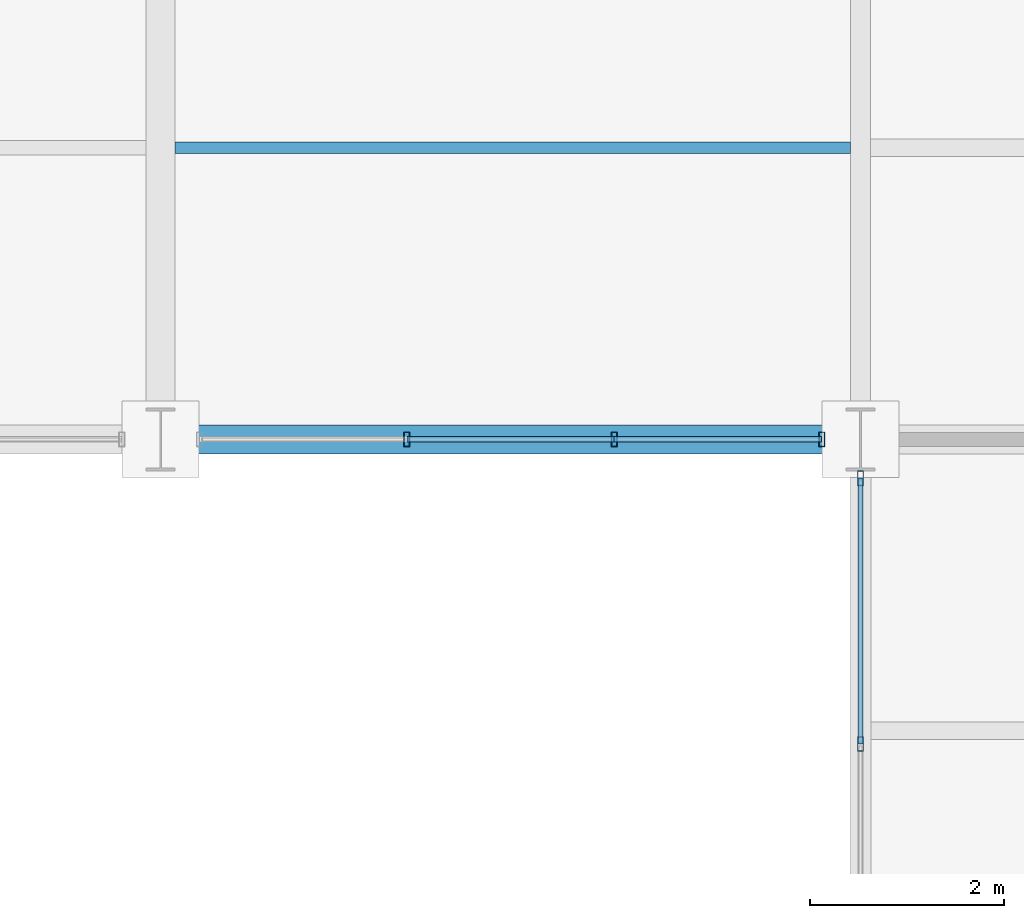
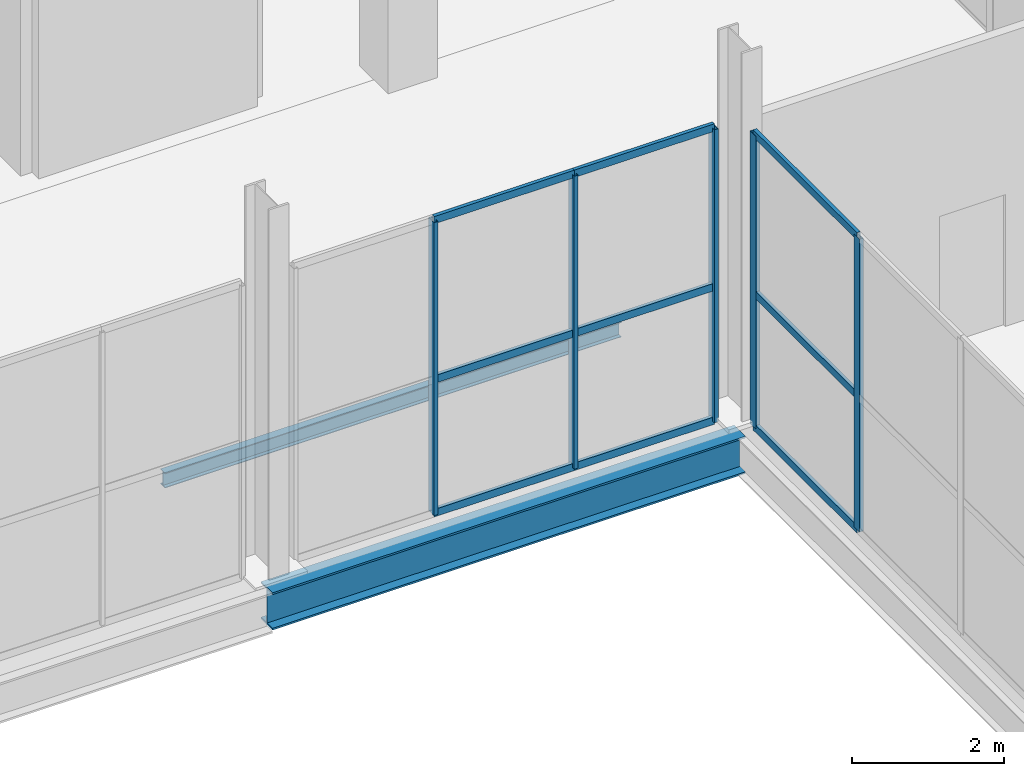
# One storey, part 95 of 144: 14 members, 2 beams, 2 elements without a shape of their own.
"""IFC4 building model written with IfcOpenShell, lengths in metres."""

from ifc_helpers import new_model, si_unit, direction, frame, origin, origin_2d, place, context, subcontext, project, spatial, hollow_rectangle, i_section, extrude, material, layer, layer_set, material_profile, profile_set, type_object, element, aggregate, save


model = new_model("IFC4")

# Units and contexts
model_context = context("Model", 3, precision=1e-05, world=origin(), true_north=direction((0.0, 1.0)))
body_context = subcontext(model_context, "Body", "Model", "MODEL_VIEW")
ifc_project = project(units=[si_unit("LENGTHUNIT", "METRE"), si_unit("AREAUNIT", "SQUARE_METRE"), si_unit("VOLUMEUNIT", "CUBIC_METRE"), si_unit("PLANEANGLEUNIT", "RADIAN"), si_unit("MASSUNIT", "GRAM", prefix="KILO")], contexts=[model_context])

# Site, building, storey
site_placement = place(None, origin())
site = spatial("IfcSite", under=ifc_project, at=site_placement, CompositionType="ELEMENT")
building_placement = place(site_placement, origin())
building = spatial("IfcBuilding", under=site, at=building_placement, Name="Sundgate Opera House", CompositionType="ELEMENT")
storey_placement = place(building_placement, origin())
storey = spatial("IfcBuildingStorey", under=building, at=storey_placement, Name="L00", CompositionType="ELEMENT", Elevation=0.0)

# Beams
ifc_material_1 = material(Name="Steel S355J2", Category="steel")
ifc_material_profile_1 = material_profile(ifc_material_1, i_section(OverallWidth=0.300048828125, OverallDepth=0.60009765625, WebThickness=0.015380859375, FlangeThickness=0.030029296875, at=origin_2d()), Name="HEB 600")
ifc_profile_set_1 = profile_set([ifc_material_profile_1], Name="Steel S355J2")
beam_type_1 = type_object("IfcBeamType", Name="BM-GR-HEB600", PredefinedType="BEAM", material=ifc_profile_set_1)
beam_1_placement = place(storey_placement, frame((131.39990234375, 60.0, -0.6201171875), z_axis=(1.0, 0.0, 0.0), x_axis=(0.0, 1.0, 0.0)))
element("IfcBeam", 1, at=beam_1_placement, inside=storey, type_object=beam_type_1, Name="L00 Primary E-W Girder B0456", PredefinedType="BEAM", context=body_context, shape_type="SweptSolid", body=[
    extrude(i_section(OverallWidth=0.300048828125, OverallDepth=0.60009765625, WebThickness=0.015380859375, FlangeThickness=0.030029296875, at=origin_2d()), origin(), (0.0, 0.0, 1.0), 7.2001953125),
])
ifc_material_2 = material(Name="Steel S355J2", Category="steel")
ifc_material_profile_2 = material_profile(ifc_material_2, i_section(OverallWidth=0.1201171875, OverallDepth=0.239990234375, WebThickness=0.006103515625, FlangeThickness=0.009765625, at=origin_2d()), Name="IPE 240")
ifc_profile_set_2 = profile_set([ifc_material_profile_2], Name="Steel S355J2")
beam_type_2 = type_object("IfcBeamType", Name="BM-JS-IPE240", PredefinedType="JOIST", material=ifc_profile_set_2)
beam_2_placement = place(storey_placement, frame((131.550048828125, 63.0, -0.43994140625), z_axis=(1.0, 0.0, 0.0), x_axis=(0.0, 1.0, 0.0)))
element("IfcBeam", 2, at=beam_2_placement, inside=storey, type_object=beam_type_2, Name="L00 Secondary Floor Joist B0832", PredefinedType="JOIST", context=body_context, shape_type="SweptSolid", body=[
    extrude(i_section(OverallWidth=0.1201171875, OverallDepth=0.239990234375, WebThickness=0.006103515625, FlangeThickness=0.009765625, at=origin_2d()), origin(), (0.0, 0.0, 1.0), 6.945068359375),
])

# Curtain wall, members
ifc_material_3 = material(Name="Anodized aluminium and low-iron glass", Category="aluminium")
ifc_layer = layer(ifc_material_3, 0.159912109375)
ifc_layer_set = layer_set([ifc_layer], Name="Anodized aluminium and low-iron glass")
curtain_wall_type = type_object("IfcCurtainWallType", Name="CW-STUDIO-DARK", PredefinedType="NOTDEFINED", material=ifc_layer_set)
curtain_wall_1_placement = place(storey_placement, origin())
curtain_wall_1 = element("IfcCurtainWall", 3, at=curtain_wall_1_placement, inside=storey, type_object=curtain_wall_type, Name="L00 Curtain Wall CW039", PredefinedType="NOTDEFINED")
ifc_material_4 = material(Name="Anodized aluminium EN AW-6063", Category="aluminium")
ifc_material_profile_3 = material_profile(ifc_material_4, hollow_rectangle(XDim=0.06005859375, YDim=0.14990234375, WallThickness=0.00390625, at=origin_2d()), Name="CWM 150x60x4")
ifc_profile_set_3 = profile_set([ifc_material_profile_3], Name="Anodized aluminium EN AW-6063")
member_type_1 = type_object("IfcMemberType", Name="CWM-ALU-150x60", PredefinedType="MULLION", material=ifc_profile_set_3)
member_1_placement = place(storey_placement, frame((138.199951171875, 60.0, 0.0), z_axis=(0.0, 0.0, 1.0), x_axis=(1.0, 0.0, 0.0)))
member_1 = element("IfcMember", 4, at=member_1_placement, type_object=member_type_1, Name="CW039 Mullion 1", PredefinedType="MULLION", context=body_context, shape_type="SweptSolid", body=[
    extrude(hollow_rectangle(XDim=0.06005859375, YDim=0.14990234375, WallThickness=0.00390625, at=origin_2d()), origin(), (0.0, 0.0, 1.0), 4.715087890625),
])
member_2_placement = place(storey_placement, frame((136.066650390625, 60.0, 0.0), z_axis=(0.0, 0.0, 1.0), x_axis=(1.0, 0.0, 0.0)))
member_2 = element("IfcMember", 5, at=member_2_placement, type_object=member_type_1, Name="CW039 Mullion 2", PredefinedType="MULLION", context=body_context, shape_type="SweptSolid", body=[
    extrude(hollow_rectangle(XDim=0.06005859375, YDim=0.14990234375, WallThickness=0.00390625, at=origin_2d()), origin(), (0.0, 0.0, 1.0), 4.715087890625),
])
member_3_placement = place(storey_placement, frame((133.933349609375, 60.0, 0.0), z_axis=(0.0, 0.0, 1.0), x_axis=(1.0, 0.0, 0.0)))
member_3 = element("IfcMember", 6, at=member_3_placement, type_object=member_type_1, Name="CW039 Mullion 3", PredefinedType="MULLION", context=body_context, shape_type="SweptSolid", body=[
    extrude(hollow_rectangle(XDim=0.06005859375, YDim=0.14990234375, WallThickness=0.00390625, at=origin_2d()), origin(), (0.0, 0.0, 1.0), 4.715087890625),
])

curtain_wall_2_placement = place(storey_placement, origin())
curtain_wall_2 = element("IfcCurtainWall", 7, at=curtain_wall_2_placement, inside=storey, type_object=curtain_wall_type, Name="L00 Curtain Wall CW043", PredefinedType="NOTDEFINED")
member_4_placement = place(storey_placement, frame((138.60009765625, 59.60009765625, 0.0), z_axis=(0.0, 0.0, 1.0), x_axis=(1.0, 0.0, 0.0)))
member_4 = element("IfcMember", 8, at=member_4_placement, type_object=member_type_1, Name="CW043 Mullion 1", PredefinedType="MULLION", context=body_context, shape_type="SweptSolid", body=[
    extrude(hollow_rectangle(XDim=0.06005859375, YDim=0.14990234375, WallThickness=0.00390625, at=origin_2d()), origin(), (0.0, 0.0, 1.0), 4.715087890625),
])
member_5_placement = place(storey_placement, frame((138.60009765625, 56.86669921875, 0.0), z_axis=(0.0, 0.0, 1.0), x_axis=(1.0, 0.0, 0.0)))
member_5 = element("IfcMember", 9, at=member_5_placement, type_object=member_type_1, Name="CW043 Mullion 2", PredefinedType="MULLION", context=body_context, shape_type="SweptSolid", body=[
    extrude(hollow_rectangle(XDim=0.06005859375, YDim=0.14990234375, WallThickness=0.00390625, at=origin_2d()), origin(), (0.0, 0.0, 1.0), 4.715087890625),
])

# Member
ifc_material_5 = material(Name="Anodized aluminium EN AW-6063", Category="aluminium")
ifc_material_profile_4 = material_profile(ifc_material_5, hollow_rectangle(XDim=0.054931640625, YDim=0.1201171875, WallThickness=0.00390625, at=origin_2d()), Name="CWT 120x55x4")
ifc_profile_set_4 = profile_set([ifc_material_profile_4], Name="Anodized aluminium EN AW-6063")
member_type_2 = type_object("IfcMemberType", Name="CWT-ALU-120x55", PredefinedType="USERDEFINED", material=ifc_profile_set_4)
member_6_placement = place(storey_placement, frame((138.199951171875, 60.0, 0.0), z_axis=(-1.0, 0.0, 0.0), x_axis=(0.0, -1.0, 0.0)))
member_6 = element("IfcMember", 10, at=member_6_placement, type_object=member_type_2, Name="CW039 Transom 1", ObjectType="TRANSOM", PredefinedType="USERDEFINED", context=body_context, shape_type="SweptSolid", body=[
    extrude(hollow_rectangle(XDim=0.054931640625, YDim=0.1201171875, WallThickness=0.00390625, at=origin_2d()), origin(), (0.0, 0.0, 1.0), 2.13330078125),
])

member_7_placement = place(storey_placement, frame((138.199951171875, 60.0, 2.14990234375), z_axis=(-1.0, 0.0, 0.0), x_axis=(0.0, -1.0, 0.0)))
member_7 = element("IfcMember", 11, at=member_7_placement, type_object=member_type_2, Name="CW039 Transom 2", ObjectType="TRANSOM", PredefinedType="USERDEFINED", context=body_context, shape_type="SweptSolid", body=[
    extrude(hollow_rectangle(XDim=0.054931640625, YDim=0.1201171875, WallThickness=0.00390625, at=origin_2d()), origin(), (0.0, 0.0, 1.0), 2.13330078125),
])

member_8_placement = place(storey_placement, frame((138.199951171875, 60.0, 4.715087890625), z_axis=(-1.0, 0.0, 0.0), x_axis=(0.0, -1.0, 0.0)))
member_8 = element("IfcMember", 12, at=member_8_placement, type_object=member_type_2, Name="CW039 Transom 3", ObjectType="TRANSOM", PredefinedType="USERDEFINED", context=body_context, shape_type="SweptSolid", body=[
    extrude(hollow_rectangle(XDim=0.054931640625, YDim=0.1201171875, WallThickness=0.00390625, at=origin_2d()), origin(), (0.0, 0.0, 1.0), 2.13330078125),
])

member_9_placement = place(storey_placement, frame((136.066650390625, 60.0, 0.0), z_axis=(-1.0, 0.0, 0.0), x_axis=(0.0, -1.0, 0.0)))
member_9 = element("IfcMember", 13, at=member_9_placement, type_object=member_type_2, Name="CW039 Transom 4", ObjectType="TRANSOM", PredefinedType="USERDEFINED", context=body_context, shape_type="SweptSolid", body=[
    extrude(hollow_rectangle(XDim=0.054931640625, YDim=0.1201171875, WallThickness=0.00390625, at=origin_2d()), origin(), (0.0, 0.0, 1.0), 2.13330078125),
])

member_10_placement = place(storey_placement, frame((136.066650390625, 60.0, 2.14990234375), z_axis=(-1.0, 0.0, 0.0), x_axis=(0.0, -1.0, 0.0)))
member_10 = element("IfcMember", 14, at=member_10_placement, type_object=member_type_2, Name="CW039 Transom 5", ObjectType="TRANSOM", PredefinedType="USERDEFINED", context=body_context, shape_type="SweptSolid", body=[
    extrude(hollow_rectangle(XDim=0.054931640625, YDim=0.1201171875, WallThickness=0.00390625, at=origin_2d()), origin(), (0.0, 0.0, 1.0), 2.13330078125),
])

member_11_placement = place(storey_placement, frame((136.066650390625, 60.0, 4.715087890625), z_axis=(-1.0, 0.0, 0.0), x_axis=(0.0, -1.0, 0.0)))
member_11 = element("IfcMember", 15, at=member_11_placement, type_object=member_type_2, Name="CW039 Transom 6", ObjectType="TRANSOM", PredefinedType="USERDEFINED", context=body_context, shape_type="SweptSolid", body=[
    extrude(hollow_rectangle(XDim=0.054931640625, YDim=0.1201171875, WallThickness=0.00390625, at=origin_2d()), origin(), (0.0, 0.0, 1.0), 2.13330078125),
])

aggregate(curtain_wall_1, [member_1, member_2, member_3, member_6, member_7, member_8, member_9, member_10, member_11])

member_12_placement = place(storey_placement, frame((138.60009765625, 59.60009765625, 0.0), z_axis=(0.0, -1.0, 0.0), x_axis=(1.0, 0.0, 0.0)))
member_12 = element("IfcMember", 16, at=member_12_placement, type_object=member_type_2, Name="CW043 Transom 1", ObjectType="TRANSOM", PredefinedType="USERDEFINED", context=body_context, shape_type="SweptSolid", body=[
    extrude(hollow_rectangle(XDim=0.054931640625, YDim=0.1201171875, WallThickness=0.00390625, at=origin_2d()), origin(), (0.0, 0.0, 1.0), 2.7333984375),
])

member_13_placement = place(storey_placement, frame((138.60009765625, 59.60009765625, 2.14990234375), z_axis=(0.0, -1.0, 0.0), x_axis=(1.0, 0.0, 0.0)))
member_13 = element("IfcMember", 17, at=member_13_placement, type_object=member_type_2, Name="CW043 Transom 2", ObjectType="TRANSOM", PredefinedType="USERDEFINED", context=body_context, shape_type="SweptSolid", body=[
    extrude(hollow_rectangle(XDim=0.054931640625, YDim=0.1201171875, WallThickness=0.00390625, at=origin_2d()), origin(), (0.0, 0.0, 1.0), 2.7333984375),
])

member_14_placement = place(storey_placement, frame((138.60009765625, 59.60009765625, 4.715087890625), z_axis=(0.0, -1.0, 0.0), x_axis=(1.0, 0.0, 0.0)))
member_14 = element("IfcMember", 18, at=member_14_placement, type_object=member_type_2, Name="CW043 Transom 3", ObjectType="TRANSOM", PredefinedType="USERDEFINED", context=body_context, shape_type="SweptSolid", body=[
    extrude(hollow_rectangle(XDim=0.054931640625, YDim=0.1201171875, WallThickness=0.00390625, at=origin_2d()), origin(), (0.0, 0.0, 1.0), 2.7333984375),
])

aggregate(curtain_wall_2, [member_4, member_5, member_12, member_13, member_14])

save(model, "model.ifc")
